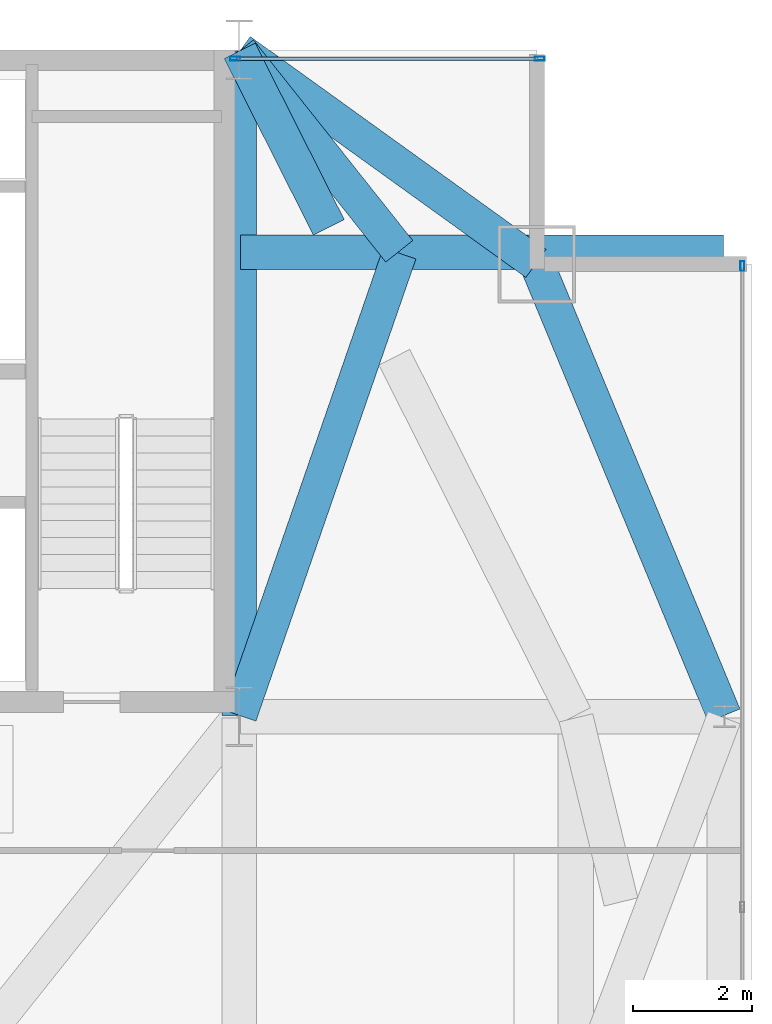
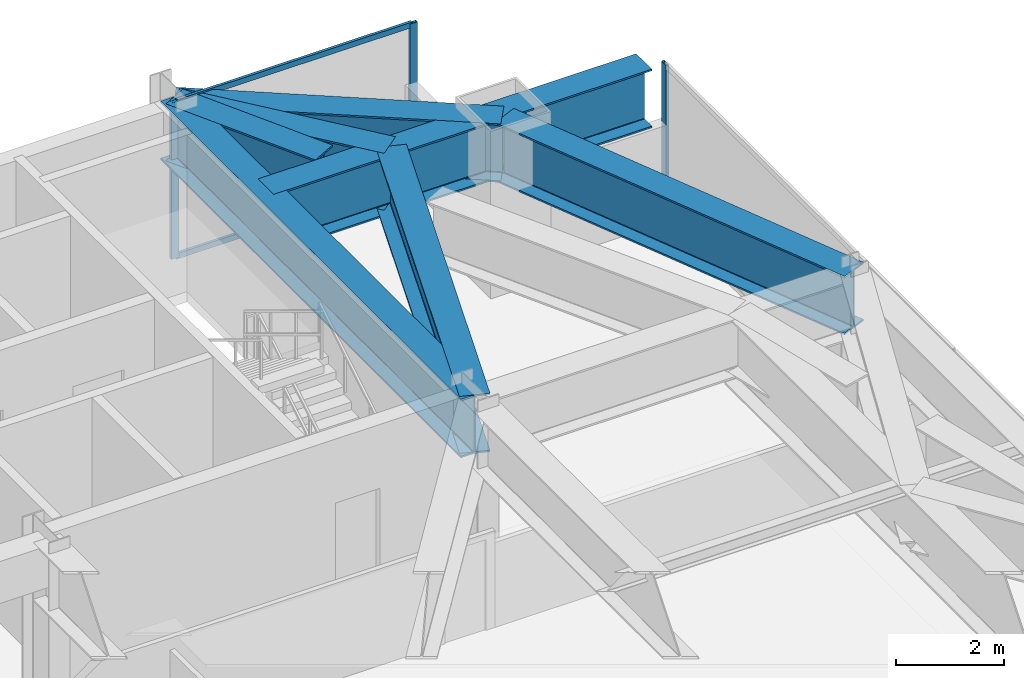
# One storey, part 21 of 26: 7 beams, 5 members, 2 elements without a shape of their own.
"""IFC4 building model written with IfcOpenShell, lengths in metres."""

from ifc_helpers import new_model, si_unit, direction, frame, origin, origin_2d, place, context, subcontext, project, spatial, hollow_rectangle, i_section, extrude, source, transform, mapped, material, layer, layer_set, material_profile, profile_set, type_object, type_shapes, element, aggregate, save


model = new_model("IFC4")

# Units and contexts
model_context = context("Model", 3, precision=1e-05, world=origin(), true_north=direction((0.0, 1.0)))
body_context = subcontext(model_context, "Body", "Model", "MODEL_VIEW")
ifc_project = project(units=[si_unit("LENGTHUNIT", "METRE"), si_unit("AREAUNIT", "SQUARE_METRE"), si_unit("VOLUMEUNIT", "CUBIC_METRE"), si_unit("PLANEANGLEUNIT", "RADIAN"), si_unit("MASSUNIT", "GRAM", prefix="KILO")], contexts=[model_context])

# Site, building, storey
site_placement = place(None, origin())
site = spatial("IfcSite", under=ifc_project, at=site_placement, CompositionType="ELEMENT")
building_placement = place(site_placement, origin())
building = spatial("IfcBuilding", under=site, at=building_placement, Name="Varnel Quay Broadcast Tower", CompositionType="ELEMENT")
storey_placement = place(building_placement, frame((0.0, 0.0, 196.0)))
storey = spatial("IfcBuildingStorey", under=building, at=storey_placement, Name="L48", CompositionType="ELEMENT", Elevation=196.0)

# Beams
ifc_material_1 = material(Name="Structural Steel CSA G40.21 350WT", Category="steel")
ifc_material_profile_1 = material_profile(ifc_material_1, i_section(OverallWidth=0.580078125, OverallDepth=1.330078125, WebThickness=0.02197265625, FlangeThickness=0.0380859375, FilletRadius=0.02001953125, at=origin_2d()), Name="WWF1330X535")
ifc_profile_set_1 = profile_set([ifc_material_profile_1], Name="Structural Steel CSA G40.21 350WT")
beam_type = type_object("IfcBeamType", Name="Girder_WWF1330X535", PredefinedType="BEAM", material=ifc_profile_set_1)
shared_shape_1 = source(origin(), body_context, "Body", "SweptSolid", [
    extrude(i_section(OverallWidth=0.580078125, OverallDepth=1.330078125, WebThickness=0.02197265625, FlangeThickness=0.0380859375, FilletRadius=0.02001953125, at=origin_2d()), origin(), (0.0, 0.0, 1.0), 11.159912109375),
])
beam_1_placement = place(storey_placement, frame((52.39990234375, 35.6201171875, 2.885009765625), z_axis=(0.0, 1.0, 0.0), x_axis=(-1.0, 0.0, 0.0)))
element("IfcBeam", 1, at=beam_1_placement, inside=storey, type_object=beam_type, Name="L48 East Core Spine", PredefinedType="BEAM", context=body_context, shape_type="MappedRepresentation", body=[
    mapped(shared_shape_1, transform((0.0, 0.0, 0.0), x_axis=(1.0, 0.0, 0.0), y_axis=(0.0, 1.0, 0.0), z_axis=(0.0, 0.0, 1.0), scale=1.0)),
])
shared_shape_2 = source(origin(), body_context, "Body", "SweptSolid", [
    extrude(i_section(OverallWidth=0.580078125, OverallDepth=1.330078125, WebThickness=0.02197265625, FlangeThickness=0.0380859375, FilletRadius=0.02001953125, at=origin_2d()), origin(), (0.0, 0.0, 1.0), 8.186767578125),
])
beam_2_placement = place(storey_placement, frame((60.542236328125, 35.618408203125, 2.885009765625), z_axis=(-0.382874132092, 0.923800519038, 0.0), x_axis=(-0.923800519038, -0.382874132092, 0.0)))
element("IfcBeam", 2, at=beam_2_placement, inside=storey, type_object=beam_type, Name="L48 East Transfer Spine TC-E3-MC-NE", PredefinedType="BEAM", context=body_context, shape_type="MappedRepresentation", body=[
    mapped(shared_shape_2, transform((0.0, 0.0, 0.0), x_axis=(1.0, 0.0, 0.0), y_axis=(0.0, 1.0, 0.0), z_axis=(0.0, 0.0, 1.0), scale=1.0)),
])
shared_shape_3 = source(origin(), body_context, "Body", "SweptSolid", [
    extrude(i_section(OverallWidth=0.580078125, OverallDepth=1.330078125, WebThickness=0.02197265625, FlangeThickness=0.0380859375, FilletRadius=0.02001953125, at=origin_2d()), origin(), (0.0, 0.0, 1.0), 6.12109375),
])
beam_3_placement = place(storey_placement, frame((52.416259765625, 46.788330078125, 2.885009765625), z_axis=(0.811531315425, -0.584308928637, 0.0), x_axis=(0.584308928637, 0.811531315425, 0.0)))
element("IfcBeam", 3, at=beam_3_placement, inside=storey, type_object=beam_type, Name="L48 NE Transfer Spine", PredefinedType="BEAM", context=body_context, shape_type="MappedRepresentation", body=[
    mapped(shared_shape_3, transform((0.0, 0.0, 0.0), x_axis=(1.0, 0.0, 0.0), y_axis=(0.0, 1.0, 0.0), z_axis=(0.0, 0.0, 1.0), scale=1.0)),
])
shared_shape_4 = source(origin(), body_context, "Body", "SweptSolid", [
    extrude(i_section(OverallWidth=0.580078125, OverallDepth=1.330078125, WebThickness=0.02197265625, FlangeThickness=0.0380859375, FilletRadius=0.02001953125, at=origin_2d()), origin(), (0.0, 0.0, 1.0), 8.110107421875),
])
beam_4_placement = place(storey_placement, frame((52.419921875, 43.39990234375, 2.885009765625), z_axis=(1.0, 0.0, 0.0), x_axis=(0.0, 1.0, 0.0)))
element("IfcBeam", 4, at=beam_4_placement, inside=storey, type_object=beam_type, Name="L48 Setback NE Mega-Column Transfer", PredefinedType="BEAM", context=body_context, shape_type="MappedRepresentation", body=[
    mapped(shared_shape_4, transform((0.0, 0.0, 0.0), x_axis=(1.0, 0.0, 0.0), y_axis=(0.0, 1.0, 0.0), z_axis=(0.0, 0.0, 1.0), scale=1.0)),
])
shared_shape_5 = source(origin(), body_context, "Body", "SweptSolid", [
    extrude(i_section(OverallWidth=0.580078125, OverallDepth=1.330078125, WebThickness=0.02197265625, FlangeThickness=0.0380859375, FilletRadius=0.02001953125, at=origin_2d()), origin(), (0.0, 0.0, 1.0), 4.301513671875),
])
beam_5_placement = place(storey_placement, frame((52.412353515625, 46.7841796875, 2.885009765625), z_axis=(0.621936399401, -0.783067758946, 0.0), x_axis=(0.783067758946, 0.621936399401, 0.0)))
element("IfcBeam", 5, at=beam_5_placement, inside=storey, type_object=beam_type, Name="L48 Nodal Transfer Tie MC-NE-CC-N5", PredefinedType="BEAM", context=body_context, shape_type="MappedRepresentation", body=[
    mapped(shared_shape_5, transform((0.0, 0.0, 0.0), x_axis=(1.0, 0.0, 0.0), y_axis=(0.0, 1.0, 0.0), z_axis=(0.0, 0.0, 1.0), scale=1.0)),
])
shared_shape_6 = source(origin(), body_context, "Body", "SweptSolid", [
    extrude(i_section(OverallWidth=0.580078125, OverallDepth=1.330078125, WebThickness=0.02197265625, FlangeThickness=0.0380859375, FilletRadius=0.02001953125, at=origin_2d()), origin(), (0.0, 0.0, 1.0), 8.214111328125),
])
beam_6_placement = place(storey_placement, frame((52.406494140625, 35.618896484375, 2.885009765625), z_axis=(0.327120772227, 0.944982539721, 0.0), x_axis=(-0.944982539721, 0.327120772227, 0.0)))
element("IfcBeam", 6, at=beam_6_placement, inside=storey, type_object=beam_type, Name="L48 X-Braced Transfer Tie MC-NE-CC-S5", PredefinedType="BEAM", context=body_context, shape_type="MappedRepresentation", body=[
    mapped(shared_shape_6, transform((0.0, 0.0, 0.0), x_axis=(1.0, 0.0, 0.0), y_axis=(0.0, 1.0, 0.0), z_axis=(0.0, 0.0, 1.0), scale=1.0)),
])
shared_shape_7 = source(origin(), body_context, "Body", "SweptSolid", [
    extrude(i_section(OverallWidth=0.580078125, OverallDepth=1.330078125, WebThickness=0.02197265625, FlangeThickness=0.0380859375, FilletRadius=0.02001953125, at=origin_2d()), origin(), (0.0, 0.0, 1.0), 3.320068359375),
])
type_shapes(beam_type, [shared_shape_1, shared_shape_2, shared_shape_3, shared_shape_4, shared_shape_5, shared_shape_6, shared_shape_7])
beam_7_placement = place(storey_placement, frame((52.408935546875, 46.781982421875, 2.885009765625), z_axis=(0.450416955511, -0.89281832765, 0.0), x_axis=(0.89281832765, 0.450416955511, 0.0)))
element("IfcBeam", 7, at=beam_7_placement, inside=storey, type_object=beam_type, Name="L48 X-Braced Transfer Tie TC-E3-CC-N5 Part 1", PredefinedType="BEAM", context=body_context, shape_type="MappedRepresentation", body=[
    mapped(shared_shape_7, transform((0.0, 0.0, 0.0), x_axis=(1.0, 0.0, 0.0), y_axis=(0.0, 1.0, 0.0), z_axis=(0.0, 0.0, 1.0), scale=1.0)),
])

# Curtain wall, member
ifc_material_2 = material(Name="Anodised Bronze Aluminium 6063-T6", Category="aluminium")
ifc_layer = layer(ifc_material_2, 0.18994140625, Name="Anodised Bronze Aluminium 6063-T6")
ifc_layer_set = layer_set([ifc_layer], Name="Anodised Bronze Aluminium 6063-T6")
curtain_wall_type = type_object("IfcCurtainWallType", Name="CW_UpperTower", PredefinedType="NOTDEFINED", material=ifc_layer_set)
curtain_wall_1_placement = place(storey_placement, origin())
curtain_wall_1 = element("IfcCurtainWall", 8, at=curtain_wall_1_placement, inside=storey, type_object=curtain_wall_type, Name="L48 East Unitised Curtain Wall", PredefinedType="NOTDEFINED")
ifc_material_profile_2 = material_profile(ifc_material_2, hollow_rectangle(XDim=0.06494140625, YDim=0.1650390625, WallThickness=0.00341796875, at=origin_2d()), Name="ALU65X165X3.5")
ifc_profile_set_2 = profile_set([ifc_material_profile_2], Name="Anodised Bronze Aluminium 6063-T6")
member_type_1 = type_object("IfcMemberType", Name="Mull_CWS-03", PredefinedType="MULLION", material=ifc_profile_set_2)
shared_shape_8 = source(origin(), body_context, "Body", "SweptSolid", [
    extrude(hollow_rectangle(XDim=0.06494140625, YDim=0.1650390625, WallThickness=0.00341796875, at=origin_2d()), origin(), (0.0, 0.0, 1.0), 3.550048828125),
])
type_shapes(member_type_1, [shared_shape_8])
member_1_placement = place(storey_placement, frame((60.85009765625, 43.16748046875, 0.0), z_axis=(0.0, 0.0, 1.0), x_axis=(-1.0, 0.0, 0.0)))
member_1 = element("IfcMember", 9, at=member_1_placement, type_object=member_type_1, Name="CWS-03 mullion 4", PredefinedType="MULLION", context=body_context, shape_type="MappedRepresentation", body=[
    mapped(shared_shape_8, transform((0.0, 0.0, 0.0), x_axis=(1.0, 0.0, 0.0), y_axis=(0.0, 1.0, 0.0), z_axis=(0.0, 0.0, 1.0), scale=1.0)),
])
aggregate(curtain_wall_1, [member_1])

# Curtain wall, members
curtain_wall_2_placement = place(storey_placement, origin())
curtain_wall_2 = element("IfcCurtainWall", 10, at=curtain_wall_2_placement, inside=storey, type_object=curtain_wall_type, Name="L48 NE Wing Curtain Wall", PredefinedType="NOTDEFINED")
member_2_placement = place(storey_placement, frame((52.33251953125, 46.64990234375, 0.0), z_axis=(0.0, 0.0, 1.0), x_axis=(0.0, 1.0, 0.0)))
member_2 = element("IfcMember", 11, at=member_2_placement, type_object=member_type_1, Name="CWS-03 mullion 1", PredefinedType="MULLION", context=body_context, shape_type="MappedRepresentation", body=[
    mapped(shared_shape_8, transform((0.0, 0.0, 0.0), x_axis=(1.0, 0.0, 0.0), y_axis=(0.0, 1.0, 0.0), z_axis=(0.0, 0.0, 1.0), scale=1.0)),
])
member_3_placement = place(storey_placement, frame((57.447509765625, 46.64990234375, 0.0), z_axis=(0.0, 0.0, 1.0), x_axis=(0.0, 1.0, 0.0)))
member_3 = element("IfcMember", 12, at=member_3_placement, type_object=member_type_1, Name="CWS-03 mullion 2", PredefinedType="MULLION", context=body_context, shape_type="MappedRepresentation", body=[
    mapped(shared_shape_8, transform((0.0, 0.0, 0.0), x_axis=(1.0, 0.0, 0.0), y_axis=(0.0, 1.0, 0.0), z_axis=(0.0, 0.0, 1.0), scale=1.0)),
])
ifc_material_profile_3 = material_profile(ifc_material_2, hollow_rectangle(XDim=0.06005859375, YDim=0.125, WallThickness=0.0029296875, at=origin_2d()), Name="ALU60X125X3")
ifc_profile_set_3 = profile_set([ifc_material_profile_3], Name="Anodised Bronze Aluminium 6063-T6")
member_type_2 = type_object("IfcMemberType", Name="Tran_CWS-03", PredefinedType="USERDEFINED", material=ifc_profile_set_3)
shared_shape_9 = source(origin(), body_context, "Body", "SweptSolid", [
    extrude(hollow_rectangle(XDim=0.06005859375, YDim=0.125, WallThickness=0.0029296875, at=origin_2d()), origin(), (0.0, 0.0, 1.0), 5.050048828125),
])
type_shapes(member_type_2, [shared_shape_9])
member_4_placement = place(storey_placement, frame((52.364990234375, 46.64990234375, 0.030029296875), z_axis=(1.0, 0.0, 0.0), x_axis=(0.0, 1.0, 0.0)))
member_4 = element("IfcMember", 13, at=member_4_placement, type_object=member_type_2, Name="CWS-03 transom 1.1", ObjectType="TRANSOM", PredefinedType="USERDEFINED", context=body_context, shape_type="MappedRepresentation", body=[
    mapped(shared_shape_9, transform((0.0, 0.0, 0.0), x_axis=(1.0, 0.0, 0.0), y_axis=(0.0, 1.0, 0.0), z_axis=(0.0, 0.0, 1.0), scale=1.0)),
])
member_5_placement = place(storey_placement, frame((52.364990234375, 46.64990234375, 3.52001953125), z_axis=(1.0, 0.0, 0.0), x_axis=(0.0, 1.0, 0.0)))
member_5 = element("IfcMember", 14, at=member_5_placement, type_object=member_type_2, Name="CWS-03 transom 1.2", ObjectType="TRANSOM", PredefinedType="USERDEFINED", context=body_context, shape_type="MappedRepresentation", body=[
    mapped(shared_shape_9, transform((0.0, 0.0, 0.0), x_axis=(1.0, 0.0, 0.0), y_axis=(0.0, 1.0, 0.0), z_axis=(0.0, 0.0, 1.0), scale=1.0)),
])
aggregate(curtain_wall_2, [member_2, member_3, member_4, member_5])

save(model, "model.ifc")
